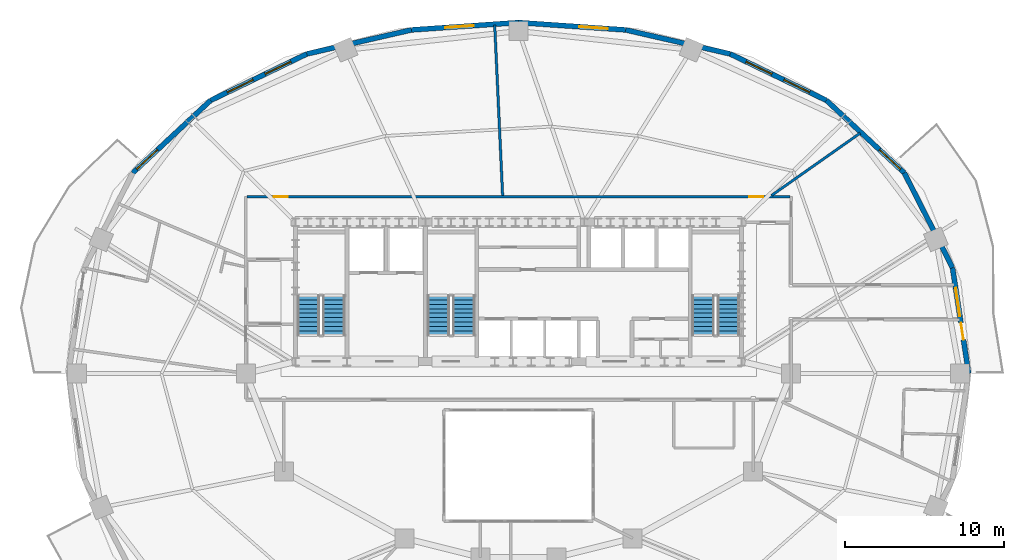
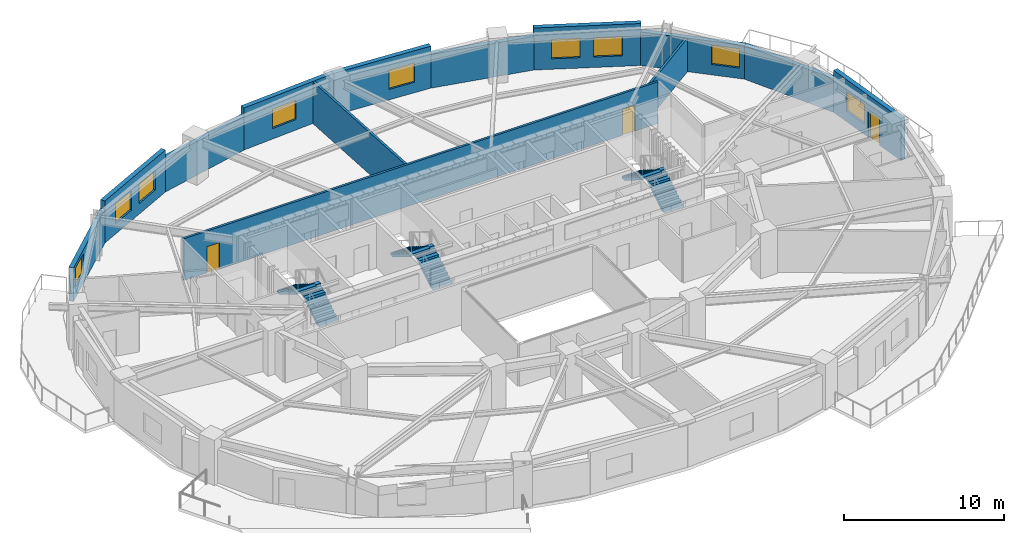
# One storey, part 9 of 13: 13 walls, 9 windows, 6 stair flights, 3 doors, 12 openings, 3 elements without a shape of their own.
"""IFC4 building model written with IfcOpenShell, lengths in metres."""

from ifc_helpers import new_model, si_unit, direction, frame, frame_2d, origin, place, context, subcontext, project, spatial, polyline, rectangle, outline, extrude, material, layer, layer_set, type_object, element, fill, aggregate, save


model = new_model("IFC4")

# Units and contexts
model_context = context("Model", 3, precision=1e-05, world=origin(), true_north=direction((0.0, 1.0)))
body_context = subcontext(model_context, "Body", "Model", "MODEL_VIEW")
ifc_project = project(units=[si_unit("LENGTHUNIT", "METRE"), si_unit("AREAUNIT", "SQUARE_METRE"), si_unit("VOLUMEUNIT", "CUBIC_METRE"), si_unit("PLANEANGLEUNIT", "RADIAN"), si_unit("MASSUNIT", "GRAM", prefix="KILO")], contexts=[model_context])

# Site, building, storey
site_placement = place(None, origin())
site = spatial("IfcSite", under=ifc_project, at=site_placement, CompositionType="ELEMENT")
building_placement = place(site_placement, origin())
building = spatial("IfcBuilding", under=site, at=building_placement, Name="Haldorwick Loom Tower", CompositionType="ELEMENT")
storey_placement = place(building_placement, frame((0.0, 0.0, 124.25)))
storey = spatial("IfcBuildingStorey", under=building, at=storey_placement, Name="L33", CompositionType="ELEMENT", Elevation=124.25)

# Wall, openings, door, window
ifc_material_1 = material(Name="Pressed Clay Face Brick and Insulated Masonry Backup Assembly", Category="masonry")
ifc_layer_1 = layer(ifc_material_1, 0.320068359375, Name="Pressed Clay Face Brick and Insulated Masonry Backup Assembly", Category="masonry")
ifc_layer_set_1 = layer_set([ifc_layer_1], Name="Pressed Clay Face Brick and Insulated Masonry Backup Assembly")
wall_type_1 = type_object("IfcWallType", Name="ARC-WL-EXT320", PredefinedType="STANDARD", material=ifc_layer_set_1)
wall_1_placement = place(storey_placement, frame((64.397705078125, 26.0, 0.0), z_axis=(0.0, 0.0, 1.0), x_axis=(-0.150633288003, 0.988589708901, 0.0)))
wall_1 = element("IfcWall", 1, at=wall_1_placement, inside=storey, type_object=wall_type_1, Name="L33 Brick Pier and Spandrel Wall 1", PredefinedType="STANDARD", context=body_context, shape_type="SweptSolid", body=[
    extrude(rectangle(XDim=6.752197265625, YDim=0.320068359375, at=frame_2d((3.3759765625, 0.0))), origin(), (0.0, 0.0, 1.0), 3.2099609375),
])
opening_1_placement = place(wall_1_placement, frame((2.144287109375, 0.0, 0.0)))
opening_1 = element("IfcOpeningElement", 2, at=opening_1_placement, cuts=wall_1, Name="Opening D-BL11", PredefinedType="OPENING", context=body_context, shape_type="SweptSolid", body=[
    extrude(rectangle(XDim=1.080078125, YDim=2.0400390625, at=frame_2d((0.5400390625, 1.02001953125))), frame((0.0, 0.169921875, 0.0), z_axis=(0.0, -1.0, 0.0), x_axis=(1.0, 0.0, 0.0)), (0.0, 0.0, 1.0), 0.340087890625),
])
opening_2_placement = place(wall_1_placement, frame((3.6494140625, 0.0, 0.800048828125)))
opening_2 = element("IfcOpeningElement", 3, at=opening_2_placement, cuts=wall_1, Name="Opening W-01", PredefinedType="OPENING", context=body_context, shape_type="SweptSolid", body=[
    extrude(rectangle(XDim=1.800048828125, YDim=1.47998046875, at=frame_2d((0.89990234375, 0.739990234375))), frame((0.0, 0.169921875, 0.0), z_axis=(0.0, -1.0, 0.0), x_axis=(1.0, 0.0, 0.0)), (0.0, 0.0, 1.0), 0.340087890625),
])
ifc_material_2 = material(Name="Thermally Broken Anodized Aluminium Curtain Wall Framing", Category="aluminium")
door_type_1 = type_object("IfcDoorType", Name="ARC-DR-BAL110", OperationType="NOTDEFINED", PredefinedType="DOOR", material=ifc_material_2)
door_1_placement = place(opening_1_placement, origin())
door_1 = element("IfcDoor", 4, at=door_1_placement, inside=storey, type_object=door_type_1, Name="L33 Outdoor Terrace Door SLB-L33-BAL_ENE", OperationType="SINGLE_SWING_RIGHT", OverallHeight=2.0400390625, OverallWidth=1.080078125, PredefinedType="DOOR", context=body_context, shape_type="SweptSolid", body=[
    extrude(rectangle(XDim=1.080078125, YDim=2.0400390625, at=frame_2d((0.5400390625, 1.02001953125))), frame((0.0, 0.02490234375, 0.0), z_axis=(0.0, -1.0, 0.0), x_axis=(1.0, 0.0, 0.0)), (0.0, 0.0, 1.0), 0.050048828125),
])
fill(opening_1, door_1)
ifc_material_3 = material(Name="Triple-Glazed Low-E Argon Insulated Glazing Unit", Category="glass")
window_type = type_object("IfcWindowType", Name="ARC-WIN-W180", PartitioningType="SINGLE_PANEL", PredefinedType="WINDOW", material=ifc_material_3)
window_1_placement = place(opening_2_placement, origin())
window_1 = element("IfcWindow", 5, at=window_1_placement, inside=storey, type_object=window_type, Name="L33 Deep-Set Zone 7A Window 1", OverallHeight=1.47998046875, OverallWidth=1.800048828125, PartitioningType="SINGLE_PANEL", PredefinedType="WINDOW", context=body_context, shape_type="SweptSolid", body=[
    extrude(rectangle(XDim=1.800048828125, YDim=1.47998046875, at=frame_2d((0.89990234375, 0.739990234375))), frame((0.0, 0.030029296875, 0.0), z_axis=(0.0, -1.0, 0.0), x_axis=(1.0, 0.0, 0.0)), (0.0, 0.0, 1.0), 0.06005859375),
])
fill(opening_2, window_1)

# Wall
wall_2_placement = place(storey_placement, frame((63.380615234375, 32.675048828125, 0.0), z_axis=(0.0, 0.0, 1.0), x_axis=(-0.453374078001, 0.89132033826, 0.0)))
element("IfcWall", 6, at=wall_2_placement, inside=storey, type_object=wall_type_1, Name="L33 Brick Pier and Spandrel Wall 2", PredefinedType="STANDARD", context=body_context, shape_type="SweptSolid", body=[
    extrude(rectangle(XDim=6.709716796875, YDim=0.320068359375, at=frame_2d((3.35498046875, 0.0))), origin(), (0.0, 0.0, 1.0), 2.569091796875),
])

# Wall, opening, window
wall_3_placement = place(storey_placement, frame((60.338623046875, 38.655517578125, 0.0), z_axis=(0.0, 0.0, 1.0), x_axis=(-0.732137360086, 0.681157020052, 0.0)))
wall_3 = element("IfcWall", 7, at=wall_3_placement, inside=storey, type_object=wall_type_1, Name="L33 Brick Pier and Spandrel Wall 3", PredefinedType="STANDARD", context=body_context, shape_type="SweptSolid", body=[
    extrude(rectangle(XDim=6.709228515625, YDim=0.320068359375, at=frame_2d((3.3544921875, 0.0))), origin(), (0.0, 0.0, 1.0), 2.569091796875),
])
opening_3_placement = place(wall_3_placement, frame((0.340087890625, 0.0, 0.800048828125)))
opening_3 = element("IfcOpeningElement", 8, at=opening_3_placement, cuts=wall_3, Name="Opening W-01", PredefinedType="OPENING", context=body_context, shape_type="SweptSolid", body=[
    extrude(rectangle(XDim=1.800048828125, YDim=1.47998046875, at=frame_2d((0.89990234375, 0.739990234375))), frame((0.0, 0.169921875, 0.0), z_axis=(0.0, -1.0, 0.0), x_axis=(1.0, 0.0, 0.0)), (0.0, 0.0, 1.0), 0.340087890625),
])
window_2_placement = place(opening_3_placement, origin())
window_2 = element("IfcWindow", 9, at=window_2_placement, inside=storey, type_object=window_type, Name="L33 Deep-Set Zone 7A Window 3", OverallHeight=1.47998046875, OverallWidth=1.800048828125, PartitioningType="SINGLE_PANEL", PredefinedType="WINDOW", context=body_context, shape_type="SweptSolid", body=[
    extrude(rectangle(XDim=1.800048828125, YDim=1.47998046875, at=frame_2d((0.89990234375, 0.739990234375))), frame((0.0, 0.030029296875, 0.0), z_axis=(0.0, -1.0, 0.0), x_axis=(1.0, 0.0, 0.0)), (0.0, 0.0, 1.0), 0.06005859375),
])
fill(opening_3, window_2)

# Wall, openings, windows
wall_4_placement = place(storey_placement, frame((55.426513671875, 43.2255859375, 0.0), z_axis=(0.0, 0.0, 1.0), x_axis=(-0.900510094661, 0.434835106004, 0.0)))
wall_4 = element("IfcWall", 10, at=wall_4_placement, inside=storey, type_object=wall_type_1, Name="L33 Brick Pier and Spandrel Wall 4", PredefinedType="STANDARD", context=body_context, shape_type="SweptSolid", body=[
    extrude(rectangle(XDim=6.744873046875, YDim=0.320068359375, at=frame_2d((3.37255859375, 0.0))), origin(), (0.0, 0.0, 1.0), 3.2099609375),
])
opening_4_placement = place(wall_4_placement, frame((1.180908203125, 0.0, 0.800048828125)))
opening_4 = element("IfcOpeningElement", 11, at=opening_4_placement, cuts=wall_4, Name="Opening W-01", PredefinedType="OPENING", context=body_context, shape_type="SweptSolid", body=[
    extrude(rectangle(XDim=1.800048828125, YDim=1.47998046875, at=frame_2d((0.89990234375, 0.739990234375))), frame((0.0, 0.169921875, 0.0), z_axis=(0.0, -1.0, 0.0), x_axis=(1.0, 0.0, 0.0)), (0.0, 0.0, 1.0), 0.340087890625),
])
opening_5_placement = place(wall_4_placement, frame((3.8212890625, 0.0, 0.800048828125)))
opening_5 = element("IfcOpeningElement", 12, at=opening_5_placement, cuts=wall_4, Name="Opening W-01", PredefinedType="OPENING", context=body_context, shape_type="SweptSolid", body=[
    extrude(rectangle(XDim=1.800048828125, YDim=1.47998046875, at=frame_2d((0.89990234375, 0.739990234375))), frame((0.0, 0.169921875, 0.0), z_axis=(0.0, -1.0, 0.0), x_axis=(1.0, 0.0, 0.0)), (0.0, 0.0, 1.0), 0.340087890625),
])
window_3_placement = place(opening_4_placement, origin())
window_3 = element("IfcWindow", 13, at=window_3_placement, inside=storey, type_object=window_type, Name="L33 Deep-Set Zone 7A Window 4", OverallHeight=1.47998046875, OverallWidth=1.800048828125, PartitioningType="SINGLE_PANEL", PredefinedType="WINDOW", context=body_context, shape_type="SweptSolid", body=[
    extrude(rectangle(XDim=1.800048828125, YDim=1.47998046875, at=frame_2d((0.89990234375, 0.739990234375))), frame((0.0, 0.030029296875, 0.0), z_axis=(0.0, -1.0, 0.0), x_axis=(1.0, 0.0, 0.0)), (0.0, 0.0, 1.0), 0.06005859375),
])
fill(opening_4, window_3)
window_4_placement = place(opening_5_placement, origin())
window_4 = element("IfcWindow", 14, at=window_4_placement, inside=storey, type_object=window_type, Name="L33 Deep-Set Zone 7A Window 4", OverallHeight=1.47998046875, OverallWidth=1.800048828125, PartitioningType="SINGLE_PANEL", PredefinedType="WINDOW", context=body_context, shape_type="SweptSolid", body=[
    extrude(rectangle(XDim=1.800048828125, YDim=1.47998046875, at=frame_2d((0.89990234375, 0.739990234375))), frame((0.0, 0.030029296875, 0.0), z_axis=(0.0, -1.0, 0.0), x_axis=(1.0, 0.0, 0.0)), (0.0, 0.0, 1.0), 0.06005859375),
])
fill(opening_5, window_4)

# Wall
wall_5_placement = place(storey_placement, frame((49.352783203125, 46.158447265625, 0.0), z_axis=(0.0, 0.0, 1.0), x_axis=(-0.974584177714, 0.224021607329, 0.0)))
element("IfcWall", 15, at=wall_5_placement, inside=storey, type_object=wall_type_1, Name="L33 Brick Pier and Spandrel Wall 5", PredefinedType="STANDARD", context=body_context, shape_type="SweptSolid", body=[
    extrude(rectangle(XDim=6.767822265625, YDim=0.320068359375, at=frame_2d((3.3837890625, 0.0))), origin(), (0.0, 0.0, 1.0), 2.569091796875),
])

# Wall, opening, window
wall_6_placement = place(storey_placement, frame((42.757080078125, 47.674560546875, 0.0), z_axis=(0.0, 0.0, 1.0), x_axis=(-0.997651949344, 0.068487867318, 0.0)))
wall_6 = element("IfcWall", 16, at=wall_6_placement, inside=storey, type_object=wall_type_1, Name="L33 Brick Pier and Spandrel Wall 6", PredefinedType="STANDARD", context=body_context, shape_type="SweptSolid", body=[
    extrude(rectangle(XDim=6.77294921875, YDim=0.320068359375, at=frame_2d((3.386474609375, 0.0))), origin(), (0.0, 0.0, 1.0), 3.2099609375),
])
opening_6_placement = place(wall_6_placement, frame((1.1318359375, 0.0, 0.800048828125)))
opening_6 = element("IfcOpeningElement", 17, at=opening_6_placement, cuts=wall_6, Name="Opening W-01", PredefinedType="OPENING", context=body_context, shape_type="SweptSolid", body=[
    extrude(rectangle(XDim=1.800048828125, YDim=1.47998046875, at=frame_2d((0.89990234375, 0.739990234375))), frame((0.0, 0.169921875, 0.0), z_axis=(0.0, -1.0, 0.0), x_axis=(1.0, 0.0, 0.0)), (0.0, 0.0, 1.0), 0.340087890625),
])
window_5_placement = place(opening_6_placement, origin())
window_5 = element("IfcWindow", 18, at=window_5_placement, inside=storey, type_object=window_type, Name="L33 Deep-Set Zone 7A Window 6", OverallHeight=1.47998046875, OverallWidth=1.800048828125, PartitioningType="SINGLE_PANEL", PredefinedType="WINDOW", context=body_context, shape_type="SweptSolid", body=[
    extrude(rectangle(XDim=1.800048828125, YDim=1.47998046875, at=frame_2d((0.89990234375, 0.739990234375))), frame((0.0, 0.030029296875, 0.0), z_axis=(0.0, -1.0, 0.0), x_axis=(1.0, 0.0, 0.0)), (0.0, 0.0, 1.0), 0.06005859375),
])
fill(opening_6, window_5)

wall_7_placement = place(storey_placement, frame((36.0, 48.138427734375, 0.0), z_axis=(0.0, 0.0, 1.0), x_axis=(-0.997651949344, -0.068487867318, 0.0)))
wall_7 = element("IfcWall", 19, at=wall_7_placement, inside=storey, type_object=wall_type_1, Name="L33 Brick Pier and Spandrel Wall 7", PredefinedType="STANDARD", context=body_context, shape_type="SweptSolid", body=[
    extrude(rectangle(XDim=6.77294921875, YDim=0.320068359375, at=frame_2d((3.386474609375, 0.0))), origin(), (0.0, 0.0, 1.0), 3.2099609375),
])
opening_7_placement = place(wall_7_placement, frame((2.84423828125, 0.0, 0.800048828125)))
opening_7 = element("IfcOpeningElement", 20, at=opening_7_placement, cuts=wall_7, Name="Opening W-01", PredefinedType="OPENING", context=body_context, shape_type="SweptSolid", body=[
    extrude(rectangle(XDim=1.800048828125, YDim=1.47998046875, at=frame_2d((0.89990234375, 0.739990234375))), frame((0.0, 0.169921875, 0.0), z_axis=(0.0, -1.0, 0.0), x_axis=(1.0, 0.0, 0.0)), (0.0, 0.0, 1.0), 0.340087890625),
])
window_6_placement = place(opening_7_placement, origin())
window_6 = element("IfcWindow", 21, at=window_6_placement, inside=storey, type_object=window_type, Name="L33 Deep-Set Zone 7A Window 7", OverallHeight=1.47998046875, OverallWidth=1.800048828125, PartitioningType="SINGLE_PANEL", PredefinedType="WINDOW", context=body_context, shape_type="SweptSolid", body=[
    extrude(rectangle(XDim=1.800048828125, YDim=1.47998046875, at=frame_2d((0.89990234375, 0.739990234375))), frame((0.0, 0.030029296875, 0.0), z_axis=(0.0, -1.0, 0.0), x_axis=(1.0, 0.0, 0.0)), (0.0, 0.0, 1.0), 0.06005859375),
])
fill(opening_7, window_6)

# Wall
wall_8_placement = place(storey_placement, frame((29.242919921875, 47.674560546875, 0.0), z_axis=(0.0, 0.0, 1.0), x_axis=(-0.974584177714, -0.224021607329, 0.0)))
element("IfcWall", 22, at=wall_8_placement, inside=storey, type_object=wall_type_1, Name="L33 Brick Pier and Spandrel Wall 8", PredefinedType="STANDARD", context=body_context, shape_type="SweptSolid", body=[
    extrude(rectangle(XDim=6.767822265625, YDim=0.320068359375, at=frame_2d((3.3837890625, 0.0))), origin(), (0.0, 0.0, 1.0), 2.569091796875),
])

# Wall, openings, windows
wall_9_placement = place(storey_placement, frame((22.647216796875, 46.158447265625, 0.0), z_axis=(0.0, 0.0, 1.0), x_axis=(-0.900510094661, -0.434835106004, 0.0)))
wall_9 = element("IfcWall", 23, at=wall_9_placement, inside=storey, type_object=wall_type_1, Name="L33 Brick Pier and Spandrel Wall 9", PredefinedType="STANDARD", context=body_context, shape_type="SweptSolid", body=[
    extrude(rectangle(XDim=6.744873046875, YDim=0.320068359375, at=frame_2d((3.37255859375, 0.0))), origin(), (0.0, 0.0, 1.0), 3.2099609375),
])
opening_8_placement = place(wall_9_placement, frame((1.123291015625, 0.0, 0.800048828125)))
opening_8 = element("IfcOpeningElement", 24, at=opening_8_placement, cuts=wall_9, Name="Opening W-01", PredefinedType="OPENING", context=body_context, shape_type="SweptSolid", body=[
    extrude(rectangle(XDim=1.800048828125, YDim=1.47998046875, at=frame_2d((0.89990234375, 0.739990234375))), frame((0.0, 0.169921875, 0.0), z_axis=(0.0, -1.0, 0.0), x_axis=(1.0, 0.0, 0.0)), (0.0, 0.0, 1.0), 0.340087890625),
])
opening_9_placement = place(wall_9_placement, frame((3.763916015625, 0.0, 0.800048828125)))
opening_9 = element("IfcOpeningElement", 25, at=opening_9_placement, cuts=wall_9, Name="Opening W-01", PredefinedType="OPENING", context=body_context, shape_type="SweptSolid", body=[
    extrude(rectangle(XDim=1.800048828125, YDim=1.47998046875, at=frame_2d((0.89990234375, 0.739990234375))), frame((0.0, 0.169921875, 0.0), z_axis=(0.0, -1.0, 0.0), x_axis=(1.0, 0.0, 0.0)), (0.0, 0.0, 1.0), 0.340087890625),
])
window_7_placement = place(opening_8_placement, origin())
window_7 = element("IfcWindow", 26, at=window_7_placement, inside=storey, type_object=window_type, Name="L33 Deep-Set Zone 7A Window 9", OverallHeight=1.47998046875, OverallWidth=1.800048828125, PartitioningType="SINGLE_PANEL", PredefinedType="WINDOW", context=body_context, shape_type="SweptSolid", body=[
    extrude(rectangle(XDim=1.800048828125, YDim=1.47998046875, at=frame_2d((0.89990234375, 0.739990234375))), frame((0.0, 0.030029296875, 0.0), z_axis=(0.0, -1.0, 0.0), x_axis=(1.0, 0.0, 0.0)), (0.0, 0.0, 1.0), 0.06005859375),
])
fill(opening_8, window_7)
window_8_placement = place(opening_9_placement, origin())
window_8 = element("IfcWindow", 27, at=window_8_placement, inside=storey, type_object=window_type, Name="L33 Deep-Set Zone 7A Window 9", OverallHeight=1.47998046875, OverallWidth=1.800048828125, PartitioningType="SINGLE_PANEL", PredefinedType="WINDOW", context=body_context, shape_type="SweptSolid", body=[
    extrude(rectangle(XDim=1.800048828125, YDim=1.47998046875, at=frame_2d((0.89990234375, 0.739990234375))), frame((0.0, 0.030029296875, 0.0), z_axis=(0.0, -1.0, 0.0), x_axis=(1.0, 0.0, 0.0)), (0.0, 0.0, 1.0), 0.06005859375),
])
fill(opening_9, window_8)

# Wall, opening, window
wall_10_placement = place(storey_placement, frame((16.573486328125, 43.2255859375, 0.0), z_axis=(0.0, 0.0, 1.0), x_axis=(-0.732137360086, -0.681157020052, 0.0)))
wall_10 = element("IfcWall", 28, at=wall_10_placement, inside=storey, type_object=wall_type_1, Name="L33 Brick Pier and Spandrel Wall 10", PredefinedType="STANDARD", context=body_context, shape_type="SweptSolid", body=[
    extrude(rectangle(XDim=6.709228515625, YDim=0.320068359375, at=frame_2d((3.3544921875, 0.0))), origin(), (0.0, 0.0, 1.0), 2.569091796875),
])
opening_10_placement = place(wall_10_placement, frame((4.569580078125, 0.0, 0.800048828125)))
opening_10 = element("IfcOpeningElement", 29, at=opening_10_placement, cuts=wall_10, Name="Opening W-01", PredefinedType="OPENING", context=body_context, shape_type="SweptSolid", body=[
    extrude(rectangle(XDim=1.800048828125, YDim=1.47998046875, at=frame_2d((0.89990234375, 0.739990234375))), frame((0.0, 0.169921875, 0.0), z_axis=(0.0, -1.0, 0.0), x_axis=(1.0, 0.0, 0.0)), (0.0, 0.0, 1.0), 0.340087890625),
])
window_9_placement = place(opening_10_placement, origin())
window_9 = element("IfcWindow", 30, at=window_9_placement, inside=storey, type_object=window_type, Name="L33 Deep-Set Zone 7A Window 10", OverallHeight=1.47998046875, OverallWidth=1.800048828125, PartitioningType="SINGLE_PANEL", PredefinedType="WINDOW", context=body_context, shape_type="SweptSolid", body=[
    extrude(rectangle(XDim=1.800048828125, YDim=1.47998046875, at=frame_2d((0.89990234375, 0.739990234375))), frame((0.0, 0.030029296875, 0.0), z_axis=(0.0, -1.0, 0.0), x_axis=(1.0, 0.0, 0.0)), (0.0, 0.0, 1.0), 0.06005859375),
])
fill(opening_10, window_9)

# Wall, openings, doors
ifc_material_4 = material(Name="Fire-Rated Type X Gypsum Stud Assembly EI 60")
ifc_layer_2 = layer(ifc_material_4, 0.159912109375, Name="Fire-Rated Type X Gypsum Stud Assembly EI 60")
ifc_layer_set_2 = layer_set([ifc_layer_2], Name="Fire-Rated Type X Gypsum Stud Assembly EI 60")
wall_type_2 = type_object("IfcWallType", Name="ARC-WL-FIRE160", PredefinedType="PARTITIONING", material=ifc_layer_set_2)
wall_11_placement = place(storey_placement, frame((18.883056640625, 37.14990234375, 0.0), z_axis=(0.0, 0.0, 1.0), x_axis=(1.0, 0.0, 0.0)))
wall_11 = element("IfcWall", 31, at=wall_11_placement, inside=storey, type_object=wall_type_2, Name="L33 Residential Fire Partition L33-CR-N0", PredefinedType="PARTITIONING", context=body_context, shape_type="SweptSolid", body=[
    extrude(rectangle(XDim=34.23388671875, YDim=0.159912109375, at=frame_2d((17.116943359375, 0.0))), origin(), (0.0, 0.0, 1.0), 3.195068359375),
])
opening_11_placement = place(wall_11_placement, frame((31.6689453125, 0.0, 0.0)))
opening_11 = element("IfcOpeningElement", 32, at=opening_11_placement, cuts=wall_11, Name="Opening D-FD60A", PredefinedType="OPENING", context=body_context, shape_type="SweptSolid", body=[
    extrude(rectangle(XDim=0.89990234375, YDim=2.0, at=frame_2d((0.449951171875, 1.0))), frame((0.0, 0.08984375, 0.0), z_axis=(0.0, -1.0, 0.0), x_axis=(1.0, 0.0, 0.0)), (0.0, 0.0, 1.0), 0.179931640625),
])
opening_12_placement = place(wall_11_placement, frame((1.662109375, 0.0, 0.0)))
opening_12 = element("IfcOpeningElement", 33, at=opening_12_placement, cuts=wall_11, Name="Opening D-FD60A", PredefinedType="OPENING", context=body_context, shape_type="SweptSolid", body=[
    extrude(rectangle(XDim=0.89990234375, YDim=2.0, at=frame_2d((0.449951171875, 1.0))), frame((0.0, 0.08984375, 0.0), z_axis=(0.0, -1.0, 0.0), x_axis=(1.0, 0.0, 0.0)), (0.0, 0.0, 1.0), 0.179931640625),
])
ifc_material_5 = material(Name="Hollow Steel Fire Door Assembly", Category="steel")
door_type_2 = type_object("IfcDoorType", Name="ARC-DR-FD60-90", OperationType="NOTDEFINED", PredefinedType="DOOR", material=ifc_material_5)
door_2_placement = place(opening_11_placement, frame((0.89990234375, 0.0, 0.0), z_axis=(0.0, 0.0, 1.0), x_axis=(-1.0, 0.0, 0.0)))
door_2 = element("IfcDoor", 34, at=door_2_placement, inside=storey, type_object=door_type_2, Name="L33 Community Library Hall 8 to L33 North Residential Corridor Door", OperationType="SINGLE_SWING_LEFT", OverallHeight=2.0, OverallWidth=0.89990234375, PredefinedType="DOOR", context=body_context, shape_type="SweptSolid", body=[
    extrude(rectangle(XDim=0.89990234375, YDim=2.0, at=frame_2d((0.449951171875, 1.0))), frame((0.0, 0.02490234375, 0.0), z_axis=(0.0, -1.0, 0.0), x_axis=(1.0, 0.0, 0.0)), (0.0, 0.0, 1.0), 0.050048828125),
])
fill(opening_11, door_2)
door_3_placement = place(opening_12_placement, frame((0.89990234375, 0.0, 0.0), z_axis=(0.0, 0.0, 1.0), x_axis=(-1.0, 0.0, 0.0)))
door_3 = element("IfcDoor", 35, at=door_3_placement, inside=storey, type_object=door_type_2, Name="L33 Community Library Hall 7 to L33 North Residential Corridor Door", OperationType="SINGLE_SWING_LEFT", OverallHeight=2.0, OverallWidth=0.89990234375, PredefinedType="DOOR", context=body_context, shape_type="SweptSolid", body=[
    extrude(rectangle(XDim=0.89990234375, YDim=2.0, at=frame_2d((0.449951171875, 1.0))), frame((0.0, 0.02490234375, 0.0), z_axis=(0.0, -1.0, 0.0), x_axis=(1.0, 0.0, 0.0)), (0.0, 0.0, 1.0), 0.050048828125),
])
fill(opening_12, door_3)

# Walls
wall_12_placement = place(storey_placement, frame((34.99609375, 37.23291015625, 0.0), z_axis=(0.0, 0.0, 1.0), x_axis=(-0.046357565748, 0.99892491014, 0.0)))
element("IfcWall", 36, at=wall_12_placement, inside=storey, type_object=wall_type_2, Name="L33 Residential Fire Partition L33-UPN-11", PredefinedType="PARTITIONING", context=body_context, shape_type="SweptSolid", body=[
    extrude(rectangle(XDim=10.748779296875, YDim=0.159912109375, at=frame_2d((5.37451171875, 0.0))), origin(), (0.0, 0.0, 1.0), 3.195068359375),
])
wall_13_placement = place(storey_placement, frame((51.970458984375, 37.23291015625, 0.0), z_axis=(0.0, 0.0, 1.0), x_axis=(0.817920521729, 0.575331226455, 0.0)))
element("IfcWall", 37, at=wall_13_placement, inside=storey, type_object=wall_type_2, Name="L33 Suite Split Wall", PredefinedType="PARTITIONING", context=body_context, shape_type="SweptSolid", body=[
    extrude(rectangle(XDim=6.824462890625, YDim=0.159912109375, at=frame_2d((3.412109375, 0.0))), origin(), (0.0, 0.0, 1.0), 2.568115234375),
])

# Stair, stair flights
ifc_material_6 = material(Name="Concrete C40 (40 MPa)", Category="concrete")
stair_type = type_object("IfcStairType", Name="STR-STR-CORE", PredefinedType="HALF_TURN_STAIR", material=ifc_material_6)
stair_1_placement = place(storey_placement, origin())
stair_1 = element("IfcStair", 38, at=stair_1_placement, inside=storey, type_object=stair_type, Name="L33 Exit Stair ST-01", PredefinedType="HALF_TURN_STAIR")
stair_flight_type = type_object("IfcStairFlightType", Name="STR-STF-1250", PredefinedType="STRAIGHT", material=ifc_material_6)
stair_flight_1_placement = place(storey_placement, frame((24.35009765625, 28.39990234375, 0.0), z_axis=(0.0, 0.0, 1.0), x_axis=(0.0, 1.0, 0.0)))
stair_flight_1 = element("IfcStairFlight", 39, at=stair_flight_1_placement, type_object=stair_flight_type, Name="ST-01 flight 1", NumberOfRisers=10, NumberOfTreads=9, PredefinedType="STRAIGHT", RiserHeight=0.1725, TreadLength=0.28, context=body_context, shape_type="SweptSolid", body=[
    extrude(outline(polyline([(0.0, 0.0), (0.0, 0.172607421875), (0.280029296875, 0.172607421875), (0.280029296875, 0.344970703125), (0.56005859375, 0.344970703125), (0.56005859375, 0.517578125), (0.840087890625, 0.517578125), (0.840087890625, 0.68994140625), (1.1201171875, 0.68994140625), (1.1201171875, 0.862548828125), (1.39990234375, 0.862548828125), (1.39990234375, 1.034912109375), (1.679931640625, 1.034912109375), (1.679931640625, 1.20751953125), (1.9599609375, 1.20751953125), (1.9599609375, 1.3798828125), (2.239990234375, 1.3798828125), (2.239990234375, 1.552490234375), (2.52001953125, 1.552490234375), (2.52001953125, 1.72509765625), (2.52001953125, 1.37646484375), (0.285888671875, 0.0), (0.0, 0.0)])), frame((0.0, 0.699951171875, 0.0), z_axis=(0.0, -1.0, 0.0), x_axis=(1.0, 0.0, 0.0)), (0.0, 0.0, 1.0), 1.39990234375),
])
stair_flight_2_placement = place(storey_placement, frame((22.75, 30.919921875, 1.72509765625), z_axis=(0.0, 0.0, 1.0), x_axis=(0.0, -1.0, 0.0)))
stair_flight_2 = element("IfcStairFlight", 40, at=stair_flight_2_placement, type_object=stair_flight_type, Name="ST-01 flight 2", NumberOfRisers=10, NumberOfTreads=9, PredefinedType="STRAIGHT", RiserHeight=0.1725, TreadLength=0.28, context=body_context, shape_type="SweptSolid", body=[
    extrude(outline(polyline([(0.0, 0.0), (0.0, 0.172607421875), (0.280029296875, 0.172607421875), (0.280029296875, 0.344970703125), (0.56005859375, 0.344970703125), (0.56005859375, 0.517578125), (0.840087890625, 0.517578125), (0.840087890625, 0.68994140625), (1.1201171875, 0.68994140625), (1.1201171875, 0.862548828125), (1.39990234375, 0.862548828125), (1.39990234375, 1.034912109375), (1.679931640625, 1.034912109375), (1.679931640625, 1.20751953125), (1.9599609375, 1.20751953125), (1.9599609375, 1.3798828125), (2.239990234375, 1.3798828125), (2.239990234375, 1.552490234375), (2.52001953125, 1.552490234375), (2.52001953125, 1.72509765625), (2.52001953125, 1.37646484375), (0.285888671875, 0.0), (0.0, 0.0)])), frame((0.0, 0.699951171875, 0.0), z_axis=(0.0, -1.0, 0.0), x_axis=(1.0, 0.0, 0.0)), (0.0, 0.0, 1.0), 1.39990234375),
])
aggregate(stair_1, [stair_flight_1, stair_flight_2])

stair_2_placement = place(storey_placement, origin())
stair_2 = element("IfcStair", 41, at=stair_2_placement, inside=storey, type_object=stair_type, Name="L33 Exit Stair ST-02", PredefinedType="HALF_TURN_STAIR")
stair_flight_3_placement = place(storey_placement, frame((49.25, 28.39990234375, 0.0), z_axis=(0.0, 0.0, 1.0), x_axis=(0.0, 1.0, 0.0)))
stair_flight_3 = element("IfcStairFlight", 42, at=stair_flight_3_placement, type_object=stair_flight_type, Name="ST-02 flight 1", NumberOfRisers=10, NumberOfTreads=9, PredefinedType="STRAIGHT", RiserHeight=0.1725, TreadLength=0.28, context=body_context, shape_type="SweptSolid", body=[
    extrude(outline(polyline([(0.0, 0.0), (0.0, 0.172607421875), (0.280029296875, 0.172607421875), (0.280029296875, 0.344970703125), (0.56005859375, 0.344970703125), (0.56005859375, 0.517578125), (0.840087890625, 0.517578125), (0.840087890625, 0.68994140625), (1.1201171875, 0.68994140625), (1.1201171875, 0.862548828125), (1.39990234375, 0.862548828125), (1.39990234375, 1.034912109375), (1.679931640625, 1.034912109375), (1.679931640625, 1.20751953125), (1.9599609375, 1.20751953125), (1.9599609375, 1.3798828125), (2.239990234375, 1.3798828125), (2.239990234375, 1.552490234375), (2.52001953125, 1.552490234375), (2.52001953125, 1.72509765625), (2.52001953125, 1.37646484375), (0.285888671875, 0.0), (0.0, 0.0)])), frame((0.0, 0.699951171875, 0.0), z_axis=(0.0, -1.0, 0.0), x_axis=(1.0, 0.0, 0.0)), (0.0, 0.0, 1.0), 1.39990234375),
])
stair_flight_4_placement = place(storey_placement, frame((47.64990234375, 30.919921875, 1.72509765625), z_axis=(0.0, 0.0, 1.0), x_axis=(0.0, -1.0, 0.0)))
stair_flight_4 = element("IfcStairFlight", 43, at=stair_flight_4_placement, type_object=stair_flight_type, Name="ST-02 flight 2", NumberOfRisers=10, NumberOfTreads=9, PredefinedType="STRAIGHT", RiserHeight=0.1725, TreadLength=0.28, context=body_context, shape_type="SweptSolid", body=[
    extrude(outline(polyline([(0.0, 0.0), (0.0, 0.172607421875), (0.280029296875, 0.172607421875), (0.280029296875, 0.344970703125), (0.56005859375, 0.344970703125), (0.56005859375, 0.517578125), (0.840087890625, 0.517578125), (0.840087890625, 0.68994140625), (1.1201171875, 0.68994140625), (1.1201171875, 0.862548828125), (1.39990234375, 0.862548828125), (1.39990234375, 1.034912109375), (1.679931640625, 1.034912109375), (1.679931640625, 1.20751953125), (1.9599609375, 1.20751953125), (1.9599609375, 1.3798828125), (2.239990234375, 1.3798828125), (2.239990234375, 1.552490234375), (2.52001953125, 1.552490234375), (2.52001953125, 1.72509765625), (2.52001953125, 1.37646484375), (0.285888671875, 0.0), (0.0, 0.0)])), frame((0.0, 0.699951171875, 0.0), z_axis=(0.0, -1.0, 0.0), x_axis=(1.0, 0.0, 0.0)), (0.0, 0.0, 1.0), 1.39990234375),
])
aggregate(stair_2, [stair_flight_3, stair_flight_4])

stair_3_placement = place(storey_placement, origin())
stair_3 = element("IfcStair", 44, at=stair_3_placement, inside=storey, type_object=stair_type, Name="L33 Exit Stair ST-03", PredefinedType="HALF_TURN_STAIR")
stair_flight_5_placement = place(storey_placement, frame((32.550048828125, 28.39990234375, 0.0), z_axis=(0.0, 0.0, 1.0), x_axis=(0.0, 1.0, 0.0)))
stair_flight_5 = element("IfcStairFlight", 45, at=stair_flight_5_placement, type_object=stair_flight_type, Name="ST-03 flight 1", NumberOfRisers=10, NumberOfTreads=9, PredefinedType="STRAIGHT", RiserHeight=0.1725, TreadLength=0.28, context=body_context, shape_type="SweptSolid", body=[
    extrude(outline(polyline([(0.0, 0.0), (0.0, 0.172607421875), (0.280029296875, 0.172607421875), (0.280029296875, 0.344970703125), (0.56005859375, 0.344970703125), (0.56005859375, 0.517578125), (0.840087890625, 0.517578125), (0.840087890625, 0.68994140625), (1.1201171875, 0.68994140625), (1.1201171875, 0.862548828125), (1.39990234375, 0.862548828125), (1.39990234375, 1.034912109375), (1.679931640625, 1.034912109375), (1.679931640625, 1.20751953125), (1.9599609375, 1.20751953125), (1.9599609375, 1.3798828125), (2.239990234375, 1.3798828125), (2.239990234375, 1.552490234375), (2.52001953125, 1.552490234375), (2.52001953125, 1.72509765625), (2.52001953125, 1.37646484375), (0.285888671875, 0.0), (0.0, 0.0)])), frame((0.0, 0.699951171875, 0.0), z_axis=(0.0, -1.0, 0.0), x_axis=(1.0, 0.0, 0.0)), (0.0, 0.0, 1.0), 1.39990234375),
])
stair_flight_6_placement = place(storey_placement, frame((30.949951171875, 30.919921875, 1.72509765625), z_axis=(0.0, 0.0, 1.0), x_axis=(0.0, -1.0, 0.0)))
stair_flight_6 = element("IfcStairFlight", 46, at=stair_flight_6_placement, type_object=stair_flight_type, Name="ST-03 flight 2", NumberOfRisers=10, NumberOfTreads=9, PredefinedType="STRAIGHT", RiserHeight=0.1725, TreadLength=0.28, context=body_context, shape_type="SweptSolid", body=[
    extrude(outline(polyline([(0.0, 0.0), (0.0, 0.172607421875), (0.280029296875, 0.172607421875), (0.280029296875, 0.344970703125), (0.56005859375, 0.344970703125), (0.56005859375, 0.517578125), (0.840087890625, 0.517578125), (0.840087890625, 0.68994140625), (1.1201171875, 0.68994140625), (1.1201171875, 0.862548828125), (1.39990234375, 0.862548828125), (1.39990234375, 1.034912109375), (1.679931640625, 1.034912109375), (1.679931640625, 1.20751953125), (1.9599609375, 1.20751953125), (1.9599609375, 1.3798828125), (2.239990234375, 1.3798828125), (2.239990234375, 1.552490234375), (2.52001953125, 1.552490234375), (2.52001953125, 1.72509765625), (2.52001953125, 1.37646484375), (0.285888671875, 0.0), (0.0, 0.0)])), frame((0.0, 0.699951171875, 0.0), z_axis=(0.0, -1.0, 0.0), x_axis=(1.0, 0.0, 0.0)), (0.0, 0.0, 1.0), 1.39990234375),
])
aggregate(stair_3, [stair_flight_5, stair_flight_6])

save(model, "model.ifc")
